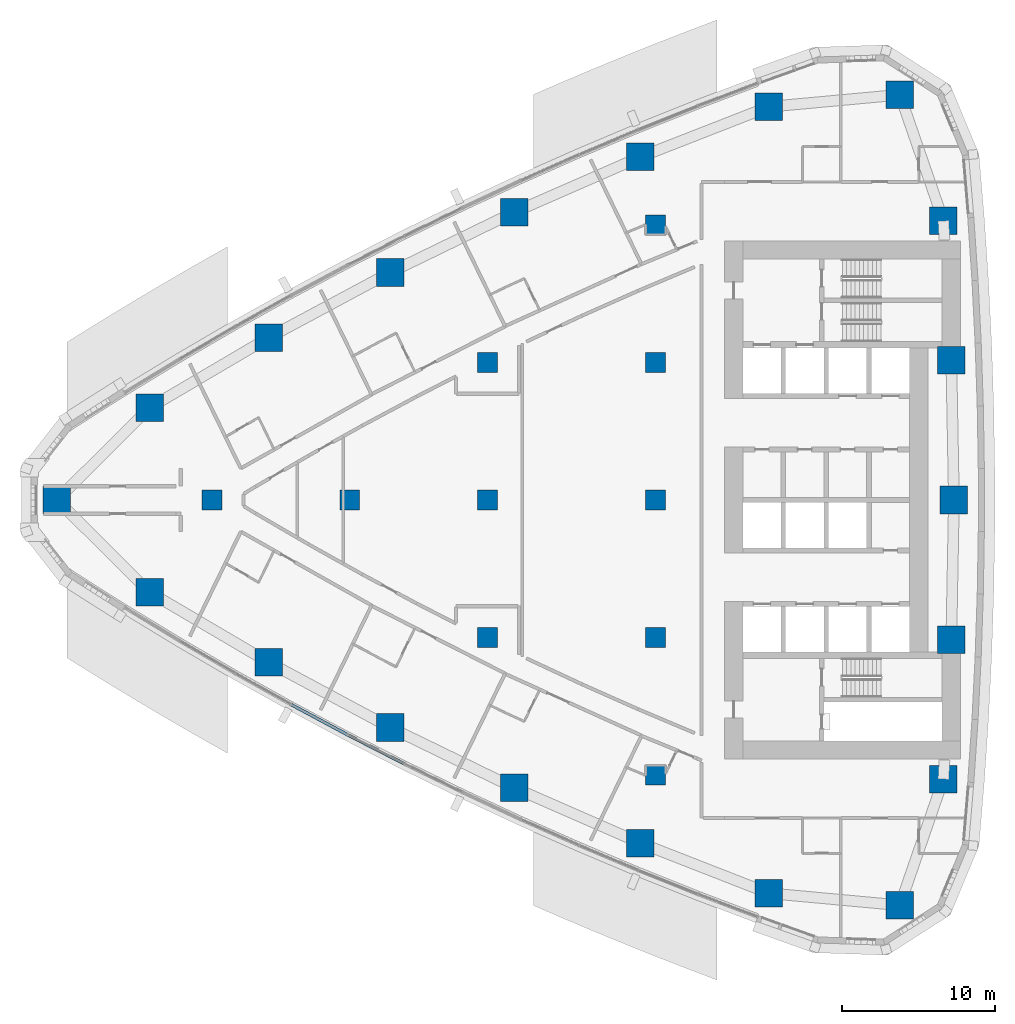
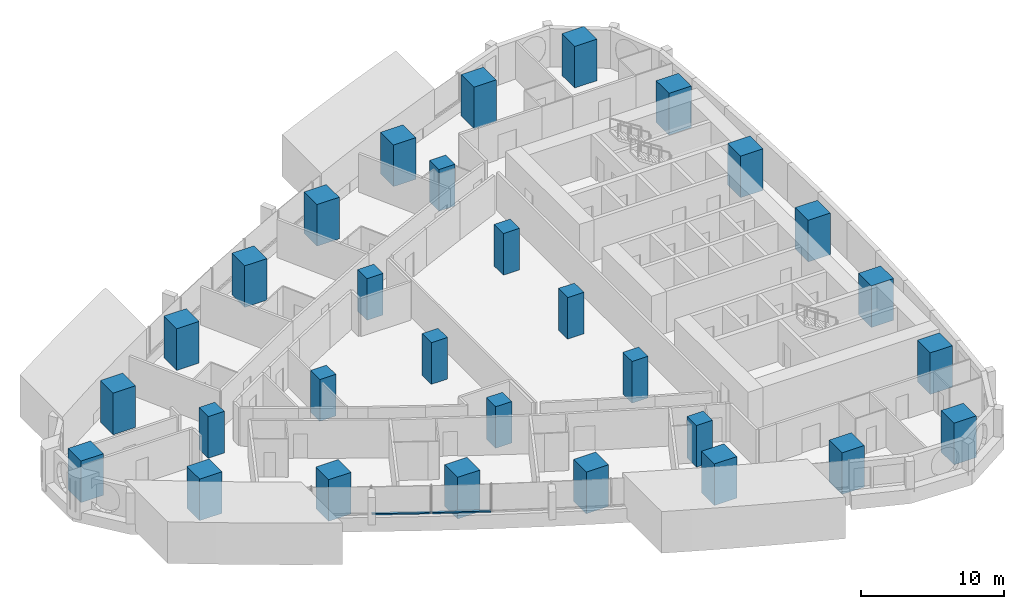
# One storey, part 1 of 19: 30 columns, 2 members, 1 element without a shape of its own.
"""IFC4 building model written with IfcOpenShell, lengths in metres."""

import ifcopenshell
import ifcopenshell.guid

model = None  # the IFC model being written
_history = None  # IfcOwnerHistory: only IFC2X3 demands one
_inside = {}  # id of a spatial element -> (the spatial element, [elements in it])
_under = {}  # id of a project, library or spatial element -> (it, [spatial elements below it])
_declared = {}  # id of a project -> (the project, [libraries it declares])
_typed = {}  # id of a type object -> (the type object, [elements of that type])
_made_of = {}  # id of a material, layer set ... -> (it, [elements and type objects made of it])


def new_model(schema):
    """Start an empty IFC model of exactly this schema.

    Asked for "IFC4X3", IfcOpenShell would pick the latest addendum, in which some entities
    have other attributes; the version numbers below select the first issue.
    IFC2X3 requires an IfcOwnerHistory on every rooted entity: one is made here for all.
    """
    global model, _history
    if schema == "IFC4X3":
        model = ifcopenshell.file(schema_version=(4, 3, 0, 0))
    else:
        model = ifcopenshell.file(schema=schema)
    _inside.clear()
    _under.clear()
    _declared.clear()
    _typed.clear()
    _made_of.clear()
    _history = None
    if model.schema == "IFC2X3":
        org = make("IfcOrganization", Name="unknown")
        user = make(
            "IfcPersonAndOrganization",
            ThePerson=make("IfcPerson", FamilyName="unknown"),
            TheOrganization=org,
        )
        app = make(
            "IfcApplication",
            ApplicationDeveloper=org,
            Version="unknown",
            ApplicationFullName="unknown",
            ApplicationIdentifier="unknown",
        )
        _history = make(
            "IfcOwnerHistory",
            OwningUser=user,
            OwningApplication=app,
            ChangeAction="ADDED",
            CreationDate=0,
        )
    return model


def make(cls, **values):
    """One entity of the class cls with the attributes given. An attribute that is None is left unset."""
    return model.create_entity(
        cls, **{name: value for name, value in values.items() if value is not None}
    )


def rooted(cls, **values):
    """An entity with a GlobalId (a new one), such as an element, a storey or a relation."""
    return make(cls, GlobalId=ifcopenshell.guid.new(), OwnerHistory=_history, **values)


def si_unit(unit_type, name, prefix=None):
    """IfcSIUnit, for example si_unit("LENGTHUNIT", "METRE", prefix="MILLI")."""
    return make("IfcSIUnit", UnitType=unit_type, Prefix=prefix, Name=name)


def assignment(units):
    """IfcUnitAssignment: the units of a project."""
    return None if units is None else make("IfcUnitAssignment", Units=units)


def point(xyz):
    """IfcCartesianPoint."""
    return None if xyz is None else make("IfcCartesianPoint", Coordinates=xyz)


def direction(xyz):
    """IfcDirection."""
    return None if xyz is None else make("IfcDirection", DirectionRatios=xyz)


def frame(location, z_axis=None, x_axis=None):
    """IfcAxis2Placement3D, a coordinate frame: its origin and axes. An axis left out is left unset."""
    return make(
        "IfcAxis2Placement3D",
        Location=point(location),
        Axis=direction(z_axis),
        RefDirection=direction(x_axis),
    )


def frame_2d(location, x_axis=None):
    """IfcAxis2Placement2D, a coordinate frame in the plane: its origin and x axis."""
    return make(
        "IfcAxis2Placement2D", Location=point(location), RefDirection=direction(x_axis)
    )


def origin():
    """The frame at (0, 0, 0) with its axes left unset."""
    return frame((0.0, 0.0, 0.0))


def origin_2d():
    """The frame at (0, 0) in the plane with its x axis left unset."""
    return frame_2d((0.0, 0.0))


def place(relative_to, where):
    """IfcLocalPlacement: puts the frame where relative to a parent placement (None: the world)."""
    return make(
        "IfcLocalPlacement", PlacementRelTo=relative_to, RelativePlacement=where
    )


def context(
    kind, dimensions, precision=None, world=None, true_north=None, identifier=None
):
    """IfcGeometricRepresentationContext, for example the 3D "Model" context."""
    return make(
        "IfcGeometricRepresentationContext",
        ContextIdentifier=identifier,
        ContextType=kind,
        CoordinateSpaceDimension=dimensions,
        Precision=precision,
        WorldCoordinateSystem=world,
        TrueNorth=true_north,
    )


def subcontext(parent, identifier, kind, view, scale=None):
    """IfcGeometricRepresentationSubContext, for example "Body" below "Model"."""
    return make(
        "IfcGeometricRepresentationSubContext",
        ContextIdentifier=identifier,
        ContextType=kind,
        ParentContext=parent,
        TargetScale=scale,
        TargetView=view,
    )


def project(units=None, contexts=None):
    """IfcProject with its units and contexts."""
    return rooted(
        "IfcProject",
        Name="project",
        RepresentationContexts=contexts,
        UnitsInContext=assignment(units),
    )


def spatial(cls, under=None, at=None, **own):
    """A site, building, storey or space (cls), placed at a placement, below another one or the project."""
    s = rooted(cls, ObjectPlacement=at, **own)
    if under is not None:
        _under.setdefault(under.id(), (under, []))[1].append(s)
    return s


def profile(cls, at=None, kind="AREA", **sizes):
    """A parametric profile (cls). Its sizes go by their IFC names, for example OverallWidth=200.0."""
    return make(cls, ProfileType=kind, Position=at, **sizes)


def rectangle(**sizes):
    """IfcRectangleProfileDef."""
    return profile("IfcRectangleProfileDef", **sizes)


def extrude(swept, where, along, depth):
    """IfcExtrudedAreaSolid: the profile swept, set in the frame where, extruded along a direction by depth."""
    return make(
        "IfcExtrudedAreaSolid",
        SweptArea=swept,
        Position=where,
        ExtrudedDirection=direction(along),
        Depth=depth,
    )


def shape(context_of_items, identifier, shape_type, items):
    """IfcShapeRepresentation: the items that make up one representation, for example the "Body"."""
    return make(
        "IfcShapeRepresentation",
        ContextOfItems=context_of_items,
        RepresentationIdentifier=identifier,
        RepresentationType=shape_type,
        Items=items,
    )


def material(Name=None, Category=None):
    """IfcMaterial."""
    return make("IfcMaterial", Name=Name, Category=Category)


def layer(
    of_material, thickness, ventilated=None, Name=None, Category=None, Priority=None
):
    """IfcMaterialLayer: one layer of a wall or slab, of a material (None: an air gap)."""
    return make(
        "IfcMaterialLayer",
        Material=of_material,
        LayerThickness=thickness,
        IsVentilated=ventilated,
        Name=Name,
        Category=Category,
        Priority=Priority,
    )


def layer_set(layers, Name=None):
    """IfcMaterialLayerSet."""
    return make("IfcMaterialLayerSet", MaterialLayers=layers, LayerSetName=Name)


def material_profile(
    of_material, cross_section, Name=None, Category=None, Priority=None
):
    """IfcMaterialProfile: a cross section and its material."""
    return make(
        "IfcMaterialProfile",
        Name=Name,
        Material=of_material,
        Profile=cross_section,
        Priority=Priority,
        Category=Category,
    )


def profile_set(profiles, Name=None, composite=None):
    """IfcMaterialProfileSet."""
    return make(
        "IfcMaterialProfileSet",
        Name=Name,
        MaterialProfiles=profiles,
        CompositeProfile=composite,
    )


def made_of(thing, what):
    """Note that an element or type object is made of a material, layer set ...; save() writes the relation."""
    if what is not None:
        _made_of.setdefault(what.id(), (what, []))[1].append(thing)
    return thing


def type_object(cls, material=None, **own):
    """A type object (cls), such as IfcWallType, which elements share."""
    return made_of(rooted(cls, **own), material)


def element(
    cls,
    number,
    at=None,
    inside=None,
    cuts=None,
    type_object=None,
    material=None,
    context=None,
    identifier="Body",
    shape_type=None,
    held_by="IfcProductDefinitionShape",
    body=None,
    shapes=None,
    **own,
):
    """One element of the class cls, such as IfcWall. Its Tag is "e" and its number.

    at: its placement. inside: the storey or other place that contains it. cuts: it is an
    opening in that element (IfcRelVoidsElement). A single representation is given by context,
    identifier, shape_type and body (its items); several are given by shapes. held_by: the class
    of the entity that holds the representations. save() writes the other relations.
    """
    e = rooted(cls, Tag="e%d" % number, ObjectPlacement=at, **own)
    if body is not None:
        shapes = [shape(context, identifier, shape_type, body)]
    if shapes is not None:
        e.Representation = make(held_by, Representations=shapes)
    if inside is not None:
        _inside.setdefault(inside.id(), (inside, []))[1].append(e)
    if cuts is not None:
        rooted(
            "IfcRelVoidsElement", RelatingBuildingElement=cuts, RelatedOpeningElement=e
        )
    if type_object is not None:
        _typed.setdefault(type_object.id(), (type_object, []))[1].append(e)
    return made_of(e, material)


def aggregate(whole, parts):
    """IfcRelAggregates: a whole, such as a stair, and the parts it consists of."""
    return rooted("IfcRelAggregates", RelatingObject=whole, RelatedObjects=parts)


def save(model, path):
    """Write the relations noted so far, then the file.

    IfcRelAggregates (storeys below a building ...), IfcRelContainedInSpatialStructure (elements
    in a storey), IfcRelDefinesByType, IfcRelAssociatesMaterial and IfcRelDeclares: one each for
    every whole, place, type object, material and project.
    """
    for whole, parts in _under.values():
        aggregate(whole, parts)
    for where, things in _inside.values():
        rooted(
            "IfcRelContainedInSpatialStructure",
            RelatedElements=things,
            RelatingStructure=where,
        )
    for kind, things in _typed.values():
        rooted("IfcRelDefinesByType", RelatedObjects=things, RelatingType=kind)
    for what, things in _made_of.values():
        rooted("IfcRelAssociatesMaterial", RelatedObjects=things, RelatingMaterial=what)
    for by, libraries in _declared.values():
        rooted("IfcRelDeclares", RelatingContext=by, RelatedDefinitions=libraries)
    model.write(path)


model = new_model("IFC4")

# Units and contexts
model_context = context("Model", 3, precision=1e-05, world=origin(), true_north=direction((0.0, 1.0)))
body_context = subcontext(model_context, "Body", "Model", "MODEL_VIEW")
ifc_project = project(units=[si_unit("LENGTHUNIT", "METRE"), si_unit("AREAUNIT", "SQUARE_METRE"), si_unit("VOLUMEUNIT", "CUBIC_METRE"), si_unit("PLANEANGLEUNIT", "RADIAN"), si_unit("MASSUNIT", "GRAM", prefix="KILO")], contexts=[model_context])

# Site, building, storey
site_placement = place(None, origin())
site = spatial("IfcSite", under=ifc_project, at=site_placement, CompositionType="ELEMENT")
building_placement = place(site_placement, origin())
building = spatial("IfcBuilding", under=site, at=building_placement, Name="Ostrand Prow Hotel Tower", CompositionType="ELEMENT")
storey_placement = place(building_placement, frame((0.0, 0.0, 60.89990234375)))
storey = spatial("IfcBuildingStorey", under=building, at=storey_placement, Name="L13", CompositionType="ELEMENT", Elevation=60.89990234375)

# Columns
ifc_material_1 = material(Name="Concrete C80/95", Category="concrete")
ifc_material_profile_1 = material_profile(ifc_material_1, rectangle(XDim=1.300048828125, YDim=1.300048828125, at=origin_2d()), Name="RC 1300x1300")
ifc_profile_set_1 = profile_set([ifc_material_profile_1], Name="Concrete C80/95")
column_type_1 = type_object("IfcColumnType", Name="Interior column 1300x1300 C80/95", PredefinedType="COLUMN", material=ifc_profile_set_1)
for number, where, z_axis, x_axis, name in (
    (1, (16.0, 0.0, 0.0), (0.0, 0.0, 1.0), (1.0, 0.0, 0.0), "Interior column 16C0"),
    (2, (25.0, 0.0, 0.0), (0.0, 0.0, 1.0), (1.0, 0.0, 0.0), "Interior column 25C0"),
    (3, (34.0, -9.0, 0.0), (0.0, 0.0, 1.0), (1.0, 0.0, 0.0), "Interior column 34S9"),
    (4, (34.0, 0.0, 0.0), (0.0, 0.0, 1.0), (1.0, 0.0, 0.0), "Interior column 34C0"),
    (5, (34.0, 9.0, 0.0), (0.0, 0.0, 1.0), (1.0, 0.0, 0.0), "Interior column 34N9"),
    (6, (45.0, -18.0, 0.0), (0.0, 0.0, 1.0), (1.0, 0.0, 0.0), "Interior column 45S18"),
    (7, (45.0, -9.0, 0.0), (0.0, 0.0, 1.0), (1.0, 0.0, 0.0), "Interior column 45S9"),
    (8, (45.0, 0.0, 0.0), (0.0, 0.0, 1.0), (1.0, 0.0, 0.0), "Interior column 45C0"),
    (9, (45.0, 9.0, 0.0), (0.0, 0.0, 1.0), (1.0, 0.0, 0.0), "Interior column 45N9"),
    (10, (45.0, 18.0, 0.0), (0.0, 0.0, 1.0), (1.0, 0.0, 0.0), "Interior column 45N18"),
):
    element("IfcColumn", number, at=place(storey_placement, frame(where, z_axis=z_axis, x_axis=x_axis)), inside=storey, type_object=column_type_1, Name=name, PredefinedType="COLUMN", context=body_context, shape_type="SweptSolid", body=[
        extrude(rectangle(XDim=1.300048828125, YDim=1.300048828125, at=origin_2d()), origin(), (0.0, 0.0, 1.0), 3.550048828125),
    ])
ifc_material_2 = material(Name="Concrete C80/95", Category="concrete")
ifc_material_profile_2 = material_profile(ifc_material_2, rectangle(XDim=1.800048828125, YDim=1.800048828125, at=origin_2d()), Name="RC 1800x1800")
ifc_profile_set_2 = profile_set([ifc_material_profile_2], Name="Concrete C80/95")
column_type_2 = type_object("IfcColumnType", Name="Stone-faced mega column 1800x1800 C80/95", PredefinedType="COLUMN", material=ifc_profile_set_2)
for number, where, z_axis, x_axis, name in (
    (11, (5.848388671875, 0.0, 0.0), (0.0, 0.0, 1.0), (1.0, 0.0, 0.0), "Mega column P"),
    (12, (11.926513671875, -6.0419921875, 0.0), (0.0, 0.0, 1.0), (1.0, 0.0, 0.0), "Mega column S1"),
    (13, (19.69287109375, -10.61474609375, 0.0), (0.0, 0.0, 1.0), (1.0, 0.0, 0.0), "Mega column S2"),
    (14, (27.635498046875, -14.874267578125, 0.0), (0.0, 0.0, 1.0), (1.0, 0.0, 0.0), "Mega column S3"),
    (15, (35.7412109375, -18.814208984375, 0.0), (0.0, 0.0, 1.0), (1.0, 0.0, 0.0), "Mega column S4"),
    (16, (43.997802734375, -22.427978515625, 0.0), (0.0, 0.0, 1.0), (1.0, 0.0, 0.0), "Mega column S5"),
    (17, (52.3916015625, -25.710205078125, 0.0), (0.0, 0.0, 1.0), (1.0, 0.0, 0.0), "Mega column S6"),
    (18, (60.966064453125, -26.49853515625, 0.0), (0.0, 0.0, 1.0), (1.0, 0.0, 0.0), "Mega column SE"),
    (19, (63.8134765625, -18.248779296875, 0.0), (0.0, 0.0, 1.0), (1.0, 0.0, 0.0), "Mega column B1"),
    (20, (64.328369140625, -9.130859375, 0.0), (0.0, 0.0, 1.0), (1.0, 0.0, 0.0), "Mega column B2"),
    (21, (64.5, 0.0, 0.0), (0.0, 0.0, 1.0), (1.0, 0.0, 0.0), "Mega column B3"),
    (22, (64.328369140625, 9.130859375, 0.0), (0.0, 0.0, 1.0), (1.0, 0.0, 0.0), "Mega column B4"),
    (23, (63.8134765625, 18.248779296875, 0.0), (0.0, 0.0, 1.0), (1.0, 0.0, 0.0), "Mega column B5"),
    (24, (60.966064453125, 26.49853515625, 0.0), (0.0, 0.0, 1.0), (1.0, 0.0, 0.0), "Mega column NE"),
    (25, (52.3916015625, 25.710205078125, 0.0), (0.0, 0.0, 1.0), (1.0, 0.0, 0.0), "Mega column N1"),
    (26, (43.997802734375, 22.427978515625, 0.0), (0.0, 0.0, 1.0), (1.0, 0.0, 0.0), "Mega column N2"),
    (27, (35.7412109375, 18.814208984375, 0.0), (0.0, 0.0, 1.0), (1.0, 0.0, 0.0), "Mega column N3"),
    (28, (27.635498046875, 14.874267578125, 0.0), (0.0, 0.0, 1.0), (1.0, 0.0, 0.0), "Mega column N4"),
    (29, (19.69287109375, 10.61474609375, 0.0), (0.0, 0.0, 1.0), (1.0, 0.0, 0.0), "Mega column N5"),
    (30, (11.926513671875, 6.0419921875, 0.0), (0.0, 0.0, 1.0), (1.0, 0.0, 0.0), "Mega column N6"),
):
    element("IfcColumn", number, at=place(storey_placement, frame(where, z_axis=z_axis, x_axis=x_axis)), inside=storey, type_object=column_type_2, Name=name, PredefinedType="COLUMN", context=body_context, shape_type="SweptSolid", body=[
        extrude(rectangle(XDim=1.800048828125, YDim=1.800048828125, at=origin_2d()), origin(), (0.0, 0.0, 1.0), 3.550048828125),
    ])

# Curtain wall, members
ifc_material_3 = material(Name="Insulated glass in bronze anodised frame", Category="glass")
ifc_layer = layer(ifc_material_3, 0.199951171875)
ifc_layer_set = layer_set([ifc_layer], Name="Insulated glass in bronze anodised frame")
curtain_wall_type = type_object("IfcCurtainWallType", Name="Strip curtain wall, fritted glass over bronze spandrel", PredefinedType="NOTDEFINED", material=ifc_layer_set)
curtain_wall_placement = place(storey_placement, origin())
curtain_wall = element("IfcCurtainWall", 31, at=curtain_wall_placement, inside=storey, type_object=curtain_wall_type, Name="CW1 run CWS2", PredefinedType="NOTDEFINED")
ifc_material_4 = material(Name="Bronze anodised aluminium", Category="aluminium")
ifc_material_profile_3 = material_profile(ifc_material_4, rectangle(XDim=0.199951171875, YDim=0.1201171875, at=origin_2d()), Name="Transom 120x200 bronze anodised aluminium")
ifc_profile_set_3 = profile_set([ifc_material_profile_3], Name="Bronze anodised aluminium")
member_type = type_object("IfcMemberType", Name="Transom 120x200 bronze anodised aluminium", PredefinedType="USERDEFINED", material=ifc_profile_set_3)
member_1_placement = place(storey_placement, frame((21.187255859375, -13.386962890625, 0.960205078125), z_axis=(0.881657241639, -0.471890356191, 0.0), x_axis=(0.471890356191, 0.881657241639, 0.0)))
member_1 = element("IfcMember", 32, at=member_1_placement, type_object=member_type, Name="CW1 transom 2.1", ObjectType="TRANSOM", PredefinedType="USERDEFINED", context=body_context, shape_type="SweptSolid", body=[
    extrude(rectangle(XDim=0.199951171875, YDim=0.1201171875, at=origin_2d()), origin(), (0.0, 0.0, 1.0), 4.13427734375),
])
member_2_placement = place(storey_placement, frame((24.885498046875, -15.36572265625, 0.960205078125), z_axis=(0.890182999343, -0.455603147136, 0.0), x_axis=(0.455603147136, 0.890182999343, 0.0)))
member_2 = element("IfcMember", 33, at=member_2_placement, type_object=member_type, Name="CW1 transom 3.1", ObjectType="TRANSOM", PredefinedType="USERDEFINED", context=body_context, shape_type="SweptSolid", body=[
    extrude(rectangle(XDim=0.199951171875, YDim=0.1201171875, at=origin_2d()), origin(), (0.0, 0.0, 1.0), 4.13427734375),
])
aggregate(curtain_wall, [member_1, member_2])

save(model, "model.ifc")
